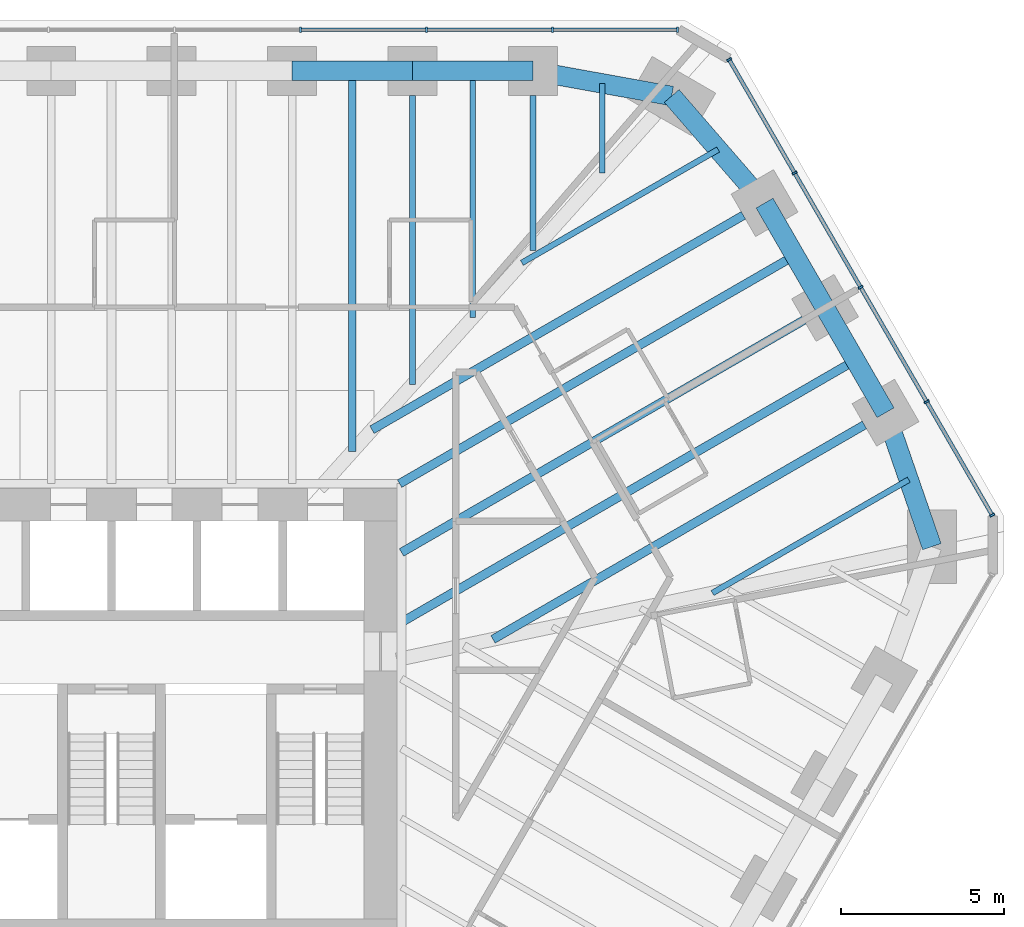
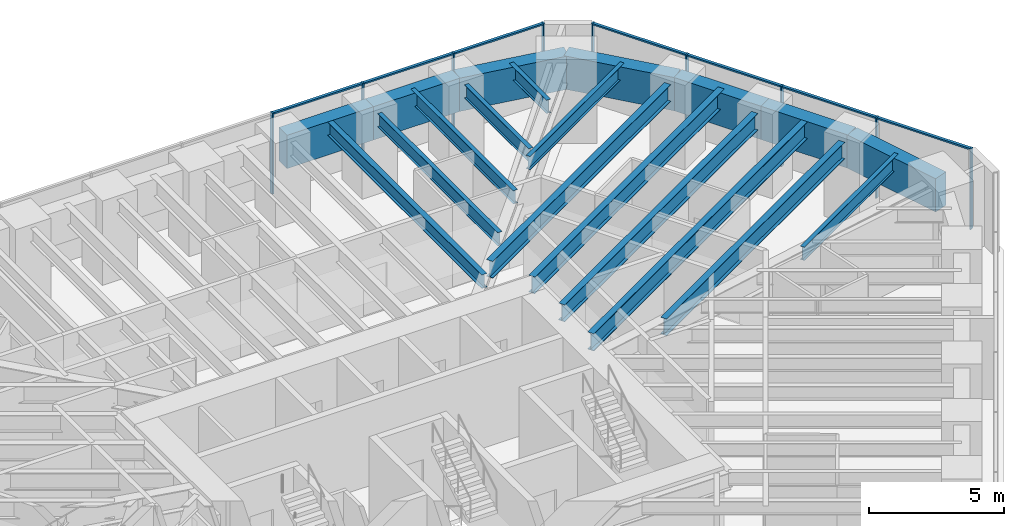
# One storey, part 9 of 16: 19 beams, 16 members, 2 elements without a shape of their own.
"""IFC4 building model written with IfcOpenShell, lengths in metres."""

from ifc_helpers import new_model, si_unit, direction, frame, origin, origin_2d, place, context, subcontext, project, spatial, rectangle, i_section, extrude, material, material_profile, profile_set, type_object, element, aggregate, save


model = new_model("IFC4")

# Units and contexts
model_context = context("Model", 3, precision=1e-05, world=origin(), true_north=direction((0.0, 1.0)))
body_context = subcontext(model_context, "Body", "Model", "MODEL_VIEW")
ifc_project = project(units=[si_unit("LENGTHUNIT", "METRE"), si_unit("AREAUNIT", "SQUARE_METRE"), si_unit("VOLUMEUNIT", "CUBIC_METRE"), si_unit("PLANEANGLEUNIT", "RADIAN"), si_unit("MASSUNIT", "GRAM", prefix="KILO")], contexts=[model_context])

# Site, building, storey
site_placement = place(None, origin())
site = spatial("IfcSite", under=ifc_project, at=site_placement, CompositionType="ELEMENT")
building_placement = place(site_placement, origin())
building = spatial("IfcBuilding", under=site, at=building_placement, Name="Sandreach Pilgrim Tower", CompositionType="ELEMENT")
storey_placement = place(building_placement, frame((0.0, 0.0, 206.0)))
storey = spatial("IfcBuildingStorey", under=building, at=storey_placement, Name="L51", CompositionType="ELEMENT", Elevation=206.0)

# Curtain wall, members
ifc_material_1 = material(Name="Aluminium framed curtain wall", Category="aluminium")
curtain_wall_type = type_object("IfcCurtainWallType", Name="Upper hotel tower curtain wall", PredefinedType="NOTDEFINED", material=ifc_material_1)
curtain_wall_1_placement = place(storey_placement, origin())
curtain_wall_1 = element("IfcCurtainWall", 1, at=curtain_wall_1_placement, inside=storey, type_object=curtain_wall_type, Name="CW-3 L51 N", PredefinedType="NOTDEFINED")
ifc_material_2 = material(Name="Aluminium extrusion", Category="aluminium")
ifc_material_profile_1 = material_profile(ifc_material_2, rectangle(XDim=0.06494140625, YDim=0.159912109375, at=origin_2d()), Name="CW-3M 65X160")
ifc_profile_set_1 = profile_set([ifc_material_profile_1], Name="Aluminium extrusion")
member_type_1 = type_object("IfcMemberType", Name="CW-3 mullion", PredefinedType="MULLION", material=ifc_profile_set_1)
member_1_placement = place(storey_placement, frame((5.796630859375, 21.16015625, 0.0), z_axis=(0.0, 0.0, 1.0), x_axis=(1.0, 0.0, 0.0)))
member_1 = element("IfcMember", 2, at=member_1_placement, type_object=member_type_1, Name="CW-3 mullion 7", PredefinedType="MULLION", context=body_context, shape_type="SweptSolid", body=[
    extrude(rectangle(XDim=0.06494140625, YDim=0.159912109375, at=origin_2d()), origin(), (0.0, 0.0, 1.0), 3.639892578125),
])
member_2_placement = place(storey_placement, frame((9.6611328125, 21.16015625, 0.0), z_axis=(0.0, 0.0, 1.0), x_axis=(1.0, 0.0, 0.0)))
member_2 = element("IfcMember", 3, at=member_2_placement, type_object=member_type_1, Name="CW-3 mullion 8", PredefinedType="MULLION", context=body_context, shape_type="SweptSolid", body=[
    extrude(rectangle(XDim=0.06494140625, YDim=0.159912109375, at=origin_2d()), origin(), (0.0, 0.0, 1.0), 3.639892578125),
])
member_3_placement = place(storey_placement, frame((13.525390625, 21.16015625, 0.0), z_axis=(0.0, 0.0, 1.0), x_axis=(1.0, 0.0, 0.0)))
member_3 = element("IfcMember", 4, at=member_3_placement, type_object=member_type_1, Name="CW-3 mullion 9", PredefinedType="MULLION", context=body_context, shape_type="SweptSolid", body=[
    extrude(rectangle(XDim=0.06494140625, YDim=0.159912109375, at=origin_2d()), origin(), (0.0, 0.0, 1.0), 3.639892578125),
])
member_4_placement = place(storey_placement, frame((17.357421875, 21.16015625, 0.0), z_axis=(0.0, 0.0, 1.0), x_axis=(1.0, 0.0, 0.0)))
member_4 = element("IfcMember", 5, at=member_4_placement, type_object=member_type_1, Name="CW-3 mullion 10", PredefinedType="MULLION", context=body_context, shape_type="SweptSolid", body=[
    extrude(rectangle(XDim=0.06494140625, YDim=0.159912109375, at=origin_2d()), origin(), (0.0, 0.0, 1.0), 3.639892578125),
])

curtain_wall_2_placement = place(storey_placement, origin())
curtain_wall_2 = element("IfcCurtainWall", 6, at=curtain_wall_2_placement, inside=storey, type_object=curtain_wall_type, Name="CW-3 L51 NE", PredefinedType="NOTDEFINED")
member_5_placement = place(storey_placement, frame((18.93896484375, 20.2470703125, 0.0), z_axis=(0.0, 0.0, 1.0), x_axis=(0.5, -0.866025403784, 0.0)))
member_5 = element("IfcMember", 7, at=member_5_placement, type_object=member_type_1, Name="CW-3 mullion 1", PredefinedType="MULLION", context=body_context, shape_type="SweptSolid", body=[
    extrude(rectangle(XDim=0.06494140625, YDim=0.159912109375, at=origin_2d()), origin(), (0.0, 0.0, 1.0), 3.639892578125),
])
member_6_placement = place(storey_placement, frame((20.947021484375, 16.768798828125, 0.0), z_axis=(0.0, 0.0, 1.0), x_axis=(0.5, -0.866025403784, 0.0)))
member_6 = element("IfcMember", 8, at=member_6_placement, type_object=member_type_1, Name="CW-3 mullion 2", PredefinedType="MULLION", context=body_context, shape_type="SweptSolid", body=[
    extrude(rectangle(XDim=0.06494140625, YDim=0.159912109375, at=origin_2d()), origin(), (0.0, 0.0, 1.0), 3.639892578125),
])
member_7_placement = place(storey_placement, frame((22.971435546875, 13.262451171875, 0.0), z_axis=(0.0, 0.0, 1.0), x_axis=(0.5, -0.866025403784, 0.0)))
member_7 = element("IfcMember", 9, at=member_7_placement, type_object=member_type_1, Name="CW-3 mullion 3", PredefinedType="MULLION", context=body_context, shape_type="SweptSolid", body=[
    extrude(rectangle(XDim=0.06494140625, YDim=0.159912109375, at=origin_2d()), origin(), (0.0, 0.0, 1.0), 3.639892578125),
])
member_8_placement = place(storey_placement, frame((24.995849609375, 9.75634765625, 0.0), z_axis=(0.0, 0.0, 1.0), x_axis=(0.5, -0.866025403784, 0.0)))
member_8 = element("IfcMember", 10, at=member_8_placement, type_object=member_type_1, Name="CW-3 mullion 4", PredefinedType="MULLION", context=body_context, shape_type="SweptSolid", body=[
    extrude(rectangle(XDim=0.06494140625, YDim=0.159912109375, at=origin_2d()), origin(), (0.0, 0.0, 1.0), 3.639892578125),
])
member_9_placement = place(storey_placement, frame((27.00390625, 6.278076171875, 0.0), z_axis=(0.0, 0.0, 1.0), x_axis=(0.5, -0.866025403784, 0.0)))
member_9 = element("IfcMember", 11, at=member_9_placement, type_object=member_type_1, Name="CW-3 mullion 5", PredefinedType="MULLION", context=body_context, shape_type="SweptSolid", body=[
    extrude(rectangle(XDim=0.06494140625, YDim=0.159912109375, at=origin_2d()), origin(), (0.0, 0.0, 1.0), 3.639892578125),
])

# Member
ifc_material_3 = material(Name="Aluminium extrusion", Category="aluminium")
ifc_material_profile_2 = material_profile(ifc_material_3, rectangle(XDim=0.1201171875, YDim=0.070068359375, at=origin_2d()), Name="CW-3T 120X70")
ifc_profile_set_2 = profile_set([ifc_material_profile_2], Name="Aluminium extrusion")
member_type_2 = type_object("IfcMemberType", Name="CW-3 transom", PredefinedType="USERDEFINED", material=ifc_profile_set_2)
member_10_placement = place(storey_placement, frame((5.8291015625, 21.16015625, 3.60498046875), z_axis=(1.0, 0.0, 0.0), x_axis=(0.0, 1.0, 0.0)))
member_10 = element("IfcMember", 12, at=member_10_placement, type_object=member_type_2, Name="CW-3 head transom 7", ObjectType="TRANSOM", PredefinedType="USERDEFINED", context=body_context, shape_type="SweptSolid", body=[
    extrude(rectangle(XDim=0.1201171875, YDim=0.070068359375, at=origin_2d()), origin(), (0.0, 0.0, 1.0), 3.799560546875),
])

member_11_placement = place(storey_placement, frame((9.693603515625, 21.16015625, 3.60498046875), z_axis=(1.0, 0.0, 0.0), x_axis=(0.0, 1.0, 0.0)))
member_11 = element("IfcMember", 13, at=member_11_placement, type_object=member_type_2, Name="CW-3 head transom 8", ObjectType="TRANSOM", PredefinedType="USERDEFINED", context=body_context, shape_type="SweptSolid", body=[
    extrude(rectangle(XDim=0.1201171875, YDim=0.070068359375, at=origin_2d()), origin(), (0.0, 0.0, 1.0), 3.79931640625),
])

member_12_placement = place(storey_placement, frame((13.557861328125, 21.16015625, 3.60498046875), z_axis=(1.0, 0.0, 0.0), x_axis=(0.0, 1.0, 0.0)))
member_12 = element("IfcMember", 14, at=member_12_placement, type_object=member_type_2, Name="CW-3 head transom 9", ObjectType="TRANSOM", PredefinedType="USERDEFINED", context=body_context, shape_type="SweptSolid", body=[
    extrude(rectangle(XDim=0.1201171875, YDim=0.070068359375, at=origin_2d()), origin(), (0.0, 0.0, 1.0), 3.76708984375),
])

aggregate(curtain_wall_1, [member_1, member_2, member_3, member_4, member_10, member_11, member_12])

member_13_placement = place(storey_placement, frame((18.955322265625, 20.21875, 3.60498046875), z_axis=(0.499993448556, -0.866029186229, 0.0), x_axis=(0.866029186229, 0.499993448556, 0.0)))
member_13 = element("IfcMember", 15, at=member_13_placement, type_object=member_type_2, Name="CW-3 head transom 1", ObjectType="TRANSOM", PredefinedType="USERDEFINED", context=body_context, shape_type="SweptSolid", body=[
    extrude(rectangle(XDim=0.1201171875, YDim=0.070068359375, at=origin_2d()), origin(), (0.0, 0.0, 1.0), 3.951171875),
])

member_14_placement = place(storey_placement, frame((20.96337890625, 16.74072265625, 3.60498046875), z_axis=(0.499975332564, -0.866039645067, 0.0), x_axis=(0.866039645067, 0.499975332564, 0.0)))
member_14 = element("IfcMember", 16, at=member_14_placement, type_object=member_type_2, Name="CW-3 head transom 2", ObjectType="TRANSOM", PredefinedType="USERDEFINED", context=body_context, shape_type="SweptSolid", body=[
    extrude(rectangle(XDim=0.1201171875, YDim=0.070068359375, at=origin_2d()), origin(), (0.0, 0.0, 1.0), 3.983642578125),
])

member_15_placement = place(storey_placement, frame((22.98779296875, 13.234375, 3.60498046875), z_axis=(0.499975332564, -0.866039645067, 0.0), x_axis=(0.866039645067, 0.499975332564, 0.0)))
member_15 = element("IfcMember", 17, at=member_15_placement, type_object=member_type_2, Name="CW-3 head transom 3", ObjectType="TRANSOM", PredefinedType="USERDEFINED", context=body_context, shape_type="SweptSolid", body=[
    extrude(rectangle(XDim=0.1201171875, YDim=0.070068359375, at=origin_2d()), origin(), (0.0, 0.0, 1.0), 3.983642578125),
])

member_16_placement = place(storey_placement, frame((25.011962890625, 9.728271484375, 3.60498046875), z_axis=(0.499993448556, -0.866029186229, 0.0), x_axis=(0.866029186229, 0.499993448556, 0.0)))
member_16 = element("IfcMember", 18, at=member_16_placement, type_object=member_type_2, Name="CW-3 head transom 4", ObjectType="TRANSOM", PredefinedType="USERDEFINED", context=body_context, shape_type="SweptSolid", body=[
    extrude(rectangle(XDim=0.1201171875, YDim=0.070068359375, at=origin_2d()), origin(), (0.0, 0.0, 1.0), 3.951171875),
])

aggregate(curtain_wall_2, [member_5, member_6, member_7, member_8, member_9, member_13, member_14, member_15, member_16])

# Beams
ifc_material_4 = material(Name="Steel ASTM A992 Grade 50", Category="steel")
ifc_material_profile_3 = material_profile(ifc_material_4, i_section(OverallWidth=0.1787109375, OverallDepth=0.60205078125, WebThickness=0.010986328125, FlangeThickness=0.014892578125, at=origin_2d()), Name="W24X62")
ifc_profile_set_3 = profile_set([ifc_material_profile_3], Name="Steel ASTM A992 Grade 50")
beam_type_1 = type_object("IfcBeamType", Name="Floor beam W24X62", PredefinedType="BEAM", material=ifc_profile_set_3)
beam_1_placement = place(storey_placement, frame((9.231201171875, 19.150146484375, 3.339111328125), z_axis=(0.0, -1.0, 0.0), x_axis=(1.0, 0.0, 0.0)))
element("IfcBeam", 19, at=beam_1_placement, inside=storey, type_object=beam_type_1, Name="BM L51 F07", PredefinedType="BEAM", context=body_context, shape_type="SweptSolid", body=[
    extrude(i_section(OverallWidth=0.1787109375, OverallDepth=0.60205078125, WebThickness=0.010986328125, FlangeThickness=0.014892578125, at=origin_2d()), origin(), (0.0, 0.0, 1.0), 8.86962890625),
])
beam_2_placement = place(storey_placement, frame((12.923828125, 19.150146484375, 3.339111328125), z_axis=(0.0, -1.0, 0.0), x_axis=(1.0, 0.0, 0.0)))
element("IfcBeam", 20, at=beam_2_placement, inside=storey, type_object=beam_type_1, Name="BM L51 F08", PredefinedType="BEAM", context=body_context, shape_type="SweptSolid", body=[
    extrude(i_section(OverallWidth=0.1787109375, OverallDepth=0.60205078125, WebThickness=0.010986328125, FlangeThickness=0.014892578125, at=origin_2d()), origin(), (0.0, 0.0, 1.0), 4.757568359375),
])
beam_3_placement = place(storey_placement, frame((11.077392578125, 19.900146484375, 3.339111328125), z_axis=(0.0, -1.0, 0.0), x_axis=(1.0, 0.0, 0.0)))
element("IfcBeam", 21, at=beam_3_placement, inside=storey, type_object=beam_type_1, Name="BM L51 FM07", PredefinedType="BEAM", context=body_context, shape_type="SweptSolid", body=[
    extrude(i_section(OverallWidth=0.1787109375, OverallDepth=0.60205078125, WebThickness=0.010986328125, FlangeThickness=0.014892578125, at=origin_2d()), origin(), (0.0, 0.0, 1.0), 7.563720703125),
])
beam_4_placement = place(storey_placement, frame((15.05078125, 19.515380859375, 3.339111328125), z_axis=(0.0, -1.0, 0.0), x_axis=(1.0, 0.0, 0.0)))
element("IfcBeam", 22, at=beam_4_placement, inside=storey, type_object=beam_type_1, Name="BM L51 FM08", PredefinedType="BEAM", context=body_context, shape_type="SweptSolid", body=[
    extrude(i_section(OverallWidth=0.1787109375, OverallDepth=0.60205078125, WebThickness=0.010986328125, FlangeThickness=0.014892578125, at=origin_2d()), origin(), (0.0, 0.0, 1.0), 2.75390625),
])
for number, where, z_axis, x_axis, name in (
    (23, (18.6015625, 17.48828125, 3.339111328125), (-0.866029381593, -0.499993110171, 0.0), (0.499993110171, -0.866029381593, 0.0), "BM L51 FM09"),
    (24, (24.446044921875, 7.365234375, 3.339111328125), (-0.866029381593, -0.499993110171, 0.0), (0.499993110171, -0.866029381593, 0.0), "BM L51 FM12"),
):
    element("IfcBeam", number, at=place(storey_placement, frame(where, z_axis=z_axis, x_axis=x_axis)), inside=storey, type_object=beam_type_1, Name=name, PredefinedType="BEAM", context=body_context, shape_type="SweptSolid", body=[
        extrude(i_section(OverallWidth=0.1787109375, OverallDepth=0.60205078125, WebThickness=0.010986328125, FlangeThickness=0.014892578125, at=origin_2d()), origin(), (0.0, 0.0, 1.0), 6.94921875),
    ])
ifc_material_5 = material(Name="Steel ASTM A992 Grade 50", Category="steel")
ifc_material_profile_4 = material_profile(ifc_material_5, i_section(OverallWidth=0.23046875, OverallDepth=0.6171875, WebThickness=0.01318359375, FlangeThickness=0.022216796875, at=origin_2d()), Name="W24X94")
ifc_profile_set_4 = profile_set([ifc_material_profile_4], Name="Steel ASTM A992 Grade 50")
beam_type_2 = type_object("IfcBeamType", Name="Floor beam W24X94", PredefinedType="BEAM", material=ifc_profile_set_4)
beam_5_placement = place(storey_placement, frame((7.385009765625, 19.900146484375, 3.331298828125), z_axis=(0.0, -1.0, 0.0), x_axis=(1.0, 0.0, 0.0)))
element("IfcBeam", 25, at=beam_5_placement, inside=storey, type_object=beam_type_2, Name="BM L51 FM06", PredefinedType="BEAM", context=body_context, shape_type="SweptSolid", body=[
    extrude(i_section(OverallWidth=0.23046875, OverallDepth=0.6171875, WebThickness=0.01318359375, FlangeThickness=0.022216796875, at=origin_2d()), origin(), (0.0, 0.0, 1.0), 11.67578125),
])
ifc_material_6 = material(Name="Steel ASTM A992 Grade 50", Category="steel")
ifc_material_profile_5 = material_profile(ifc_material_6, i_section(OverallWidth=0.2666015625, OverallDepth=0.761962890625, WebThickness=0.014404296875, FlangeThickness=0.021484375, at=origin_2d()), Name="W30X116")
ifc_profile_set_5 = profile_set([ifc_material_profile_5], Name="Steel ASTM A992 Grade 50")
beam_type_3 = type_object("IfcBeamType", Name="Floor beam W30X116", PredefinedType="BEAM", material=ifc_profile_set_5)
beam_6_placement = place(storey_placement, frame((19.37548828125, 15.470947265625, 3.259033203125), z_axis=(-0.866022320763, -0.500005339912, 0.0), x_axis=(0.500005339912, -0.866022320763, 0.0)))
element("IfcBeam", 26, at=beam_6_placement, inside=storey, type_object=beam_type_3, Name="BM L51 F10", PredefinedType="BEAM", context=body_context, shape_type="SweptSolid", body=[
    extrude(i_section(OverallWidth=0.2666015625, OverallDepth=0.761962890625, WebThickness=0.014404296875, FlangeThickness=0.021484375, at=origin_2d()), origin(), (0.0, 0.0, 1.0), 13.148193359375),
])
beam_7_placement = place(storey_placement, frame((21.230712890625, 12.257568359375, 3.259033203125), z_axis=(-0.866024056942, -0.500002332792, 0.0), x_axis=(0.500002332792, -0.866024056942, 0.0)))
element("IfcBeam", 27, at=beam_7_placement, inside=storey, type_object=beam_type_3, Name="BM L51 F11", PredefinedType="BEAM", context=body_context, shape_type="SweptSolid", body=[
    extrude(i_section(OverallWidth=0.2666015625, OverallDepth=0.761962890625, WebThickness=0.014404296875, FlangeThickness=0.021484375, at=origin_2d()), origin(), (0.0, 0.0, 1.0), 14.24609375),
])
beam_8_placement = place(storey_placement, frame((23.0859375, 9.044189453125, 3.259033203125), z_axis=(-0.866026962808, -0.499997299682, 0.0), x_axis=(0.499997299682, -0.866026962808, 0.0)))
element("IfcBeam", 28, at=beam_8_placement, inside=storey, type_object=beam_type_3, Name="BM L51 F12", PredefinedType="BEAM", context=body_context, shape_type="SweptSolid", body=[
    extrude(i_section(OverallWidth=0.2666015625, OverallDepth=0.761962890625, WebThickness=0.014404296875, FlangeThickness=0.021484375, at=origin_2d()), origin(), (0.0, 0.0, 1.0), 13.1484375),
])
beam_9_placement = place(storey_placement, frame((20.95263671875, 14.2392578125, 3.259033203125), z_axis=(-0.866025770688, -0.499999364504, 0.0), x_axis=(0.499999364504, -0.866025770688, 0.0)))
element("IfcBeam", 29, at=beam_9_placement, inside=storey, type_object=beam_type_3, Name="BM L51 FM10", PredefinedType="BEAM", context=body_context, shape_type="SweptSolid", body=[
    extrude(i_section(OverallWidth=0.2666015625, OverallDepth=0.761962890625, WebThickness=0.014404296875, FlangeThickness=0.021484375, at=origin_2d()), origin(), (0.0, 0.0, 1.0), 13.99169921875),
])
ifc_material_7 = material(Name="Steel ASTM A992 Grade 50", Category="steel")
ifc_material_profile_6 = material_profile(ifc_material_7, i_section(OverallWidth=0.2666015625, OverallDepth=0.77978515625, WebThickness=0.0166015625, FlangeThickness=0.030029296875, at=origin_2d()), Name="W30X148")
ifc_profile_set_6 = profile_set([ifc_material_profile_6], Name="Steel ASTM A992 Grade 50")
beam_type_4 = type_object("IfcBeamType", Name="Floor beam W30X148", PredefinedType="BEAM", material=ifc_profile_set_6)
beam_10_placement = place(storey_placement, frame((22.807861328125, 11.02587890625, 3.25), z_axis=(-0.866028701771, -0.499994287676, 0.0), x_axis=(0.499994287676, -0.866028701771, 0.0)))
element("IfcBeam", 30, at=beam_10_placement, inside=storey, type_object=beam_type_4, Name="BM L51 FM11", PredefinedType="BEAM", context=body_context, shape_type="SweptSolid", body=[
    extrude(i_section(OverallWidth=0.2666015625, OverallDepth=0.77978515625, WebThickness=0.0166015625, FlangeThickness=0.030029296875, at=origin_2d()), origin(), (0.0, 0.0, 1.0), 16.067138671875),
])
ifc_material_8 = material(Name="Concrete 10000 psi", Category="concrete")
ifc_material_profile_7 = material_profile(ifc_material_8, rectangle(XDim=0.60009765625, YDim=1.5, at=origin_2d()), Name="RC600X1500")
ifc_profile_set_7 = profile_set([ifc_material_profile_7], Name="Concrete 10000 psi")
beam_type_5 = type_object("IfcBeamType", Name="Spandrel beam RC600X1500", PredefinedType="SPANDREL", material=ifc_profile_set_7)
beam_11_placement = place(storey_placement, frame((5.538818359375, 19.900146484375, 2.889892578125), z_axis=(1.0, 0.0, 0.0), x_axis=(0.0, 1.0, 0.0)))
element("IfcBeam", 31, at=beam_11_placement, inside=storey, type_object=beam_type_5, Name="BM L51 SP06", PredefinedType="SPANDREL", context=body_context, shape_type="SweptSolid", body=[
    extrude(rectangle(XDim=0.60009765625, YDim=1.5, at=origin_2d()), origin(), (0.0, 0.0, 1.0), 3.6923828125),
])
beam_12_placement = place(storey_placement, frame((9.231201171875, 19.900146484375, 2.889892578125), z_axis=(1.0, 0.0, 0.0), x_axis=(0.0, 1.0, 0.0)))
element("IfcBeam", 32, at=beam_12_placement, inside=storey, type_object=beam_type_5, Name="BM L51 SP07", PredefinedType="SPANDREL", context=body_context, shape_type="SweptSolid", body=[
    extrude(rectangle(XDim=0.60009765625, YDim=1.5, at=origin_2d()), origin(), (0.0, 0.0, 1.0), 3.692626953125),
])
beam_13_placement = place(storey_placement, frame((12.923828125, 19.900146484375, 2.889892578125), z_axis=(0.984030345637, -0.178000783326, 0.0), x_axis=(0.178000783326, 0.984030345637, 0.0)))
element("IfcBeam", 33, at=beam_13_placement, inside=storey, type_object=beam_type_5, Name="BM L51 SP08", PredefinedType="SPANDREL", context=body_context, shape_type="SweptSolid", body=[
    extrude(rectangle(XDim=0.60009765625, YDim=1.5, at=origin_2d()), origin(), (0.0, 0.0, 1.0), 4.3232421875),
])
beam_14_placement = place(storey_placement, frame((17.177978515625, 19.130615234375, 2.889892578125), z_axis=(0.65499040715, -0.755637192402, 0.0), x_axis=(0.755637192402, 0.65499040715, 0.0)))
element("IfcBeam", 34, at=beam_14_placement, inside=storey, type_object=beam_type_5, Name="BM L51 SP09", PredefinedType="SPANDREL", context=body_context, shape_type="SweptSolid", body=[
    extrude(rectangle(XDim=0.60009765625, YDim=1.5, at=origin_2d()), origin(), (0.0, 0.0, 1.0), 4.346923828125),
])
for number, where, z_axis, x_axis, name in (
    (35, (20.025146484375, 15.845947265625, 2.889892578125), (0.499995842751, -0.86602780396, 0.0), (0.86602780396, 0.499995842751, 0.0), "BM L51 SP10"),
    (36, (21.88037109375, 12.632568359375, 2.889892578125), (0.499946491854, -0.866056294523, 0.0), (0.866056294523, 0.499946491854, 0.0), "BM L51 SP11"),
):
    element("IfcBeam", number, at=place(storey_placement, frame(where, z_axis=z_axis, x_axis=x_axis)), inside=storey, type_object=beam_type_5, Name=name, PredefinedType="SPANDREL", context=body_context, shape_type="SweptSolid", body=[
        extrude(rectangle(XDim=0.60009765625, YDim=1.5, at=origin_2d()), origin(), (0.0, 0.0, 1.0), 3.71044921875),
    ])
beam_15_placement = place(storey_placement, frame((23.7353515625, 9.419189453125, 2.889892578125), z_axis=(0.326940800053, -0.945044820768, 0.0), x_axis=(0.945044820768, 0.326940800053, 0.0)))
element("IfcBeam", 37, at=beam_15_placement, inside=storey, type_object=beam_type_5, Name="BM L51 SP12", PredefinedType="SPANDREL", context=body_context, shape_type="SweptSolid", body=[
    extrude(rectangle(XDim=0.60009765625, YDim=1.5, at=origin_2d()), origin(), (0.0, 0.0, 1.0), 4.3466796875),
])

save(model, "model.ifc")
